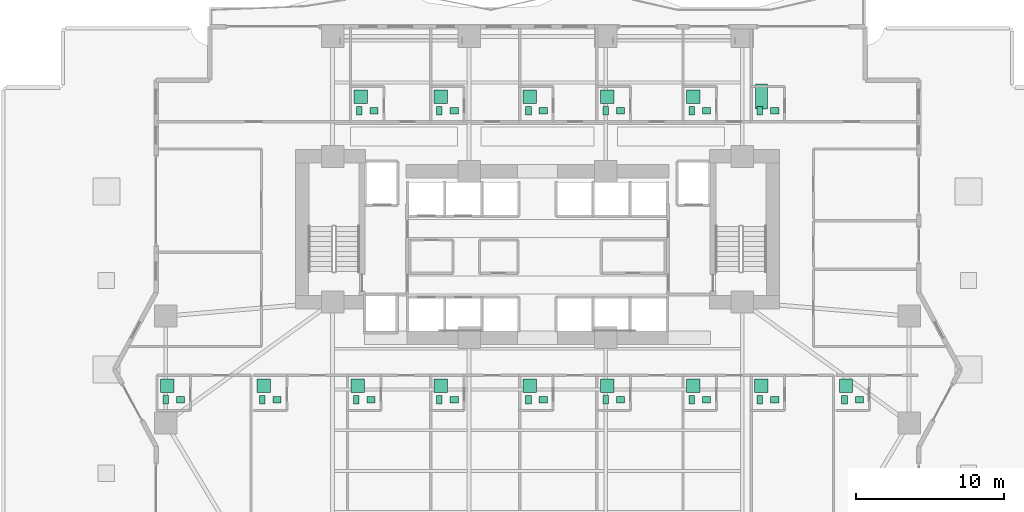
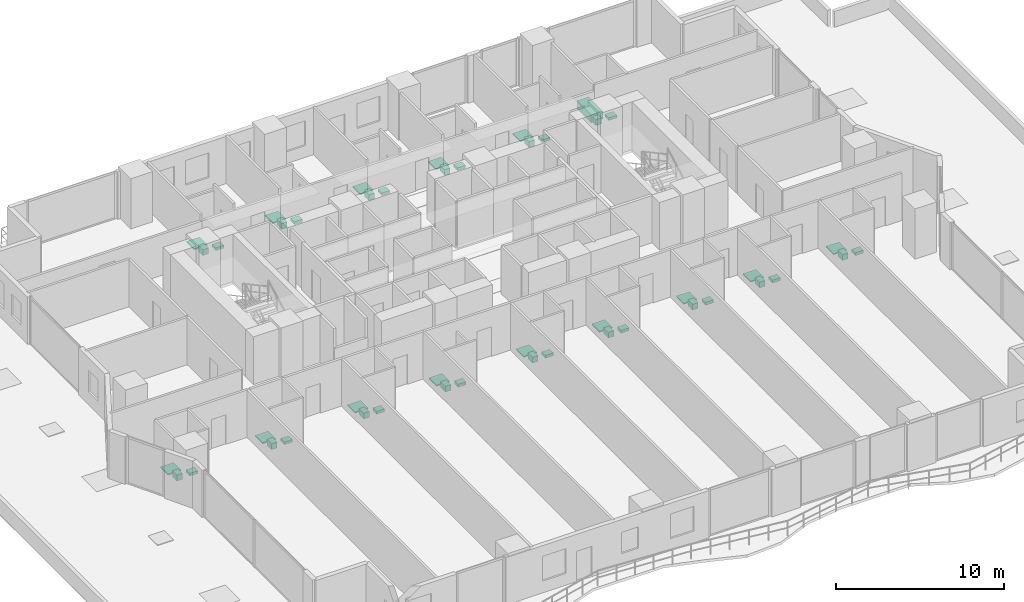
# One storey, part 30 of 30: 45 sanitary terminals.
"""IFC4 building model written with IfcOpenShell, lengths in metres."""

from ifc_helpers import new_model, si_unit, direction, frame, origin, origin_2d, place, context, subcontext, project, spatial, rectangle, extrude, material, type_object, element, save


model = new_model("IFC4")

# Units and contexts
model_context = context("Model", 3, precision=1e-05, world=origin(), true_north=direction((0.0, 1.0)))
body_context = subcontext(model_context, "Body", "Model", "MODEL_VIEW")
ifc_project = project(units=[si_unit("LENGTHUNIT", "METRE"), si_unit("AREAUNIT", "SQUARE_METRE"), si_unit("VOLUMEUNIT", "CUBIC_METRE"), si_unit("PLANEANGLEUNIT", "RADIAN"), si_unit("MASSUNIT", "GRAM", prefix="KILO")], contexts=[model_context])

# Site, building, storey
site_placement = place(None, origin())
site = spatial("IfcSite", under=ifc_project, at=site_placement, CompositionType="ELEMENT")
building_placement = place(site_placement, origin())
building = spatial("IfcBuilding", under=site, at=building_placement, Name="Zuhayl Quay Hotel", CompositionType="ELEMENT")
storey_placement = place(building_placement, frame((0.0, 0.0, 27.60009765625)))
storey = spatial("IfcBuildingStorey", under=building, at=storey_placement, Name="L05", CompositionType="ELEMENT", Elevation=27.60009765625)

# Sanitary terminals
ifc_material = material(Name="Vitreous Porcelain Sanitaryware")
sanitary_terminal_type_1 = type_object("IfcSanitaryTerminalType", Name="SAN_BASIN", PredefinedType="WASHHANDBASIN", material=ifc_material)
for number, where, z_axis, x_axis, name in (
    (1, (-11.010009765625, 17.43994140625, 0.0), (0.0, 0.0, 1.0), (1.0, 0.0, 0.0), "L05 Sanitary Fixture WASHHANDBASIN"),
    (2, (-5.610107421875, 17.43994140625, 0.0), (0.0, 0.0, 1.0), (1.0, 0.0, 0.0), "L05 Sanitary Fixture WASHHANDBASIN"),
    (3, (0.389892578125, 17.43994140625, 0.0), (0.0, 0.0, 1.0), (1.0, 0.0, 0.0), "L05 Sanitary Fixture WASHHANDBASIN"),
    (4, (5.590087890625, 17.43994140625, 0.0), (0.0, 0.0, 1.0), (1.0, 0.0, 0.0), "L05 Sanitary Fixture WASHHANDBASIN"),
    (5, (11.389892578125, 17.43994140625, 0.0), (0.0, 0.0, 1.0), (1.0, 0.0, 0.0), "L05 Sanitary Fixture WASHHANDBASIN"),
    (6, (15.989990234375, 17.43994140625, 0.0), (0.0, 0.0, 1.0), (1.0, 0.0, 0.0), "L05 Sanitary Fixture WASHHANDBASIN"),
    (7, (-24.050048828125, -2.0400390625, 0.0), (0.0, 0.0, 1.0), (1.0, 0.0, 0.0), "L05 Sanitary Fixture WASHHANDBASIN"),
    (8, (-17.550048828125, -2.0400390625, 0.0), (0.0, 0.0, 1.0), (1.0, 0.0, 0.0), "L05 Sanitary Fixture WASHHANDBASIN"),
    (9, (-11.2099609375, -2.0400390625, 0.0), (0.0, 0.0, 1.0), (1.0, 0.0, 0.0), "L05 Sanitary Fixture WASHHANDBASIN"),
    (10, (-5.610107421875, -2.0400390625, 0.0), (0.0, 0.0, 1.0), (1.0, 0.0, 0.0), "L05 Sanitary Fixture WASHHANDBASIN"),
    (11, (0.389892578125, -2.0400390625, 0.0), (0.0, 0.0, 1.0), (1.0, 0.0, 0.0), "L05 Sanitary Fixture WASHHANDBASIN"),
    (12, (5.590087890625, -2.0400390625, 0.0), (0.0, 0.0, 1.0), (1.0, 0.0, 0.0), "L05 Sanitary Fixture WASHHANDBASIN"),
    (13, (11.389892578125, -2.0400390625, 0.0), (0.0, 0.0, 1.0), (1.0, 0.0, 0.0), "L05 Sanitary Fixture WASHHANDBASIN"),
    (14, (15.989990234375, -2.0400390625, 0.0), (0.0, 0.0, 1.0), (1.0, 0.0, 0.0), "L05 Sanitary Fixture WASHHANDBASIN"),
    (15, (21.68994140625, -2.0400390625, 0.0), (0.0, 0.0, 1.0), (1.0, 0.0, 0.0), "L05 Sanitary Fixture WASHHANDBASIN"),
):
    element("IfcSanitaryTerminal", number, at=place(storey_placement, frame(where, z_axis=z_axis, x_axis=x_axis)), inside=storey, type_object=sanitary_terminal_type_1, Name=name, PredefinedType="WASHHANDBASIN", context=body_context, shape_type="SweptSolid", body=[
        extrude(rectangle(XDim=0.550048828125, YDim=0.449951171875, at=origin_2d()), origin(), (0.0, 0.0, 1.0), 0.199951171875),
    ])
sanitary_terminal_type_2 = type_object("IfcSanitaryTerminalType", Name="SAN_BATH", PredefinedType="BATH", material=ifc_material)
sanitary_terminal_placement = place(storey_placement, frame((15.090087890625, 18.389892578125, -0.000244140625), z_axis=(0.0, 0.0, 1.0), x_axis=(1.0, 0.0, 0.0)))
element("IfcSanitaryTerminal", 16, at=sanitary_terminal_placement, inside=storey, type_object=sanitary_terminal_type_2, Name="L05 Sanitary Fixture BATH", PredefinedType="BATH", context=body_context, shape_type="SweptSolid", body=[
    extrude(rectangle(XDim=0.800048828125, YDim=1.699951171875, at=origin_2d()), origin(), (0.0, 0.0, 1.0), 0.580078125),
])
sanitary_terminal_type_3 = type_object("IfcSanitaryTerminalType", Name="SAN_SHOWER", PredefinedType="SHOWER", material=ifc_material)
for number, where, z_axis, x_axis, name in (
    (17, (-11.909912109375, 18.389892578125, -0.000244140625), (0.0, 0.0, 1.0), (1.0, 0.0, 0.0), "L05 Sanitary Fixture SHOWER"),
    (18, (-6.510009765625, 18.389892578125, -0.000244140625), (0.0, 0.0, 1.0), (1.0, 0.0, 0.0), "L05 Sanitary Fixture SHOWER"),
    (19, (-0.510009765625, 18.389892578125, -0.000244140625), (0.0, 0.0, 1.0), (1.0, 0.0, 0.0), "L05 Sanitary Fixture SHOWER"),
    (20, (4.68994140625, 18.389892578125, -0.000244140625), (0.0, 0.0, 1.0), (1.0, 0.0, 0.0), "L05 Sanitary Fixture SHOWER"),
    (21, (10.489990234375, 18.389892578125, -0.000244140625), (0.0, 0.0, 1.0), (1.0, 0.0, 0.0), "L05 Sanitary Fixture SHOWER"),
    (22, (-24.949951171875, -1.090087890625, -0.000244140625), (0.0, 0.0, 1.0), (1.0, 0.0, 0.0), "L05 Sanitary Fixture SHOWER"),
    (23, (-18.449951171875, -1.090087890625, -0.000244140625), (0.0, 0.0, 1.0), (1.0, 0.0, 0.0), "L05 Sanitary Fixture SHOWER"),
    (24, (-12.110107421875, -1.090087890625, -0.000244140625), (0.0, 0.0, 1.0), (1.0, 0.0, 0.0), "L05 Sanitary Fixture SHOWER"),
    (25, (-6.510009765625, -1.090087890625, -0.000244140625), (0.0, 0.0, 1.0), (1.0, 0.0, 0.0), "L05 Sanitary Fixture SHOWER"),
    (26, (-0.510009765625, -1.090087890625, -0.000244140625), (0.0, 0.0, 1.0), (1.0, 0.0, 0.0), "L05 Sanitary Fixture SHOWER"),
    (27, (4.68994140625, -1.090087890625, -0.000244140625), (0.0, 0.0, 1.0), (1.0, 0.0, 0.0), "L05 Sanitary Fixture SHOWER"),
    (28, (10.489990234375, -1.090087890625, -0.000244140625), (0.0, 0.0, 1.0), (1.0, 0.0, 0.0), "L05 Sanitary Fixture SHOWER"),
    (29, (15.090087890625, -1.090087890625, -0.000244140625), (0.0, 0.0, 1.0), (1.0, 0.0, 0.0), "L05 Sanitary Fixture SHOWER"),
    (30, (20.7900390625, -1.090087890625, -0.000244140625), (0.0, 0.0, 1.0), (1.0, 0.0, 0.0), "L05 Sanitary Fixture SHOWER"),
):
    element("IfcSanitaryTerminal", number, at=place(storey_placement, frame(where, z_axis=z_axis, x_axis=x_axis)), inside=storey, type_object=sanitary_terminal_type_3, Name=name, PredefinedType="SHOWER", context=body_context, shape_type="SweptSolid", body=[
        extrude(rectangle(XDim=0.89990234375, YDim=0.89990234375, at=origin_2d()), origin(), (0.0, 0.0, 1.0), 0.080078125),
    ])
sanitary_terminal_type_4 = type_object("IfcSanitaryTerminalType", Name="SAN_WC", PredefinedType="TOILETPAN", material=ifc_material)
for number, where, z_axis, x_axis, name in (
    (31, (-12.010009765625, 17.43994140625, 0.0), (0.0, 0.0, 1.0), (1.0, 0.0, 0.0), "L05 Sanitary Fixture TOILETPAN"),
    (32, (-6.610107421875, 17.43994140625, 0.0), (0.0, 0.0, 1.0), (1.0, 0.0, 0.0), "L05 Sanitary Fixture TOILETPAN"),
    (33, (-0.610107421875, 17.43994140625, 0.0), (0.0, 0.0, 1.0), (1.0, 0.0, 0.0), "L05 Sanitary Fixture TOILETPAN"),
    (34, (4.590087890625, 17.43994140625, 0.0), (0.0, 0.0, 1.0), (1.0, 0.0, 0.0), "L05 Sanitary Fixture TOILETPAN"),
    (35, (10.389892578125, 17.43994140625, 0.0), (0.0, 0.0, 1.0), (1.0, 0.0, 0.0), "L05 Sanitary Fixture TOILETPAN"),
    (36, (14.989990234375, 17.43994140625, 0.0), (0.0, 0.0, 1.0), (1.0, 0.0, 0.0), "L05 Sanitary Fixture TOILETPAN"),
    (37, (-25.050048828125, -2.0400390625, 0.0), (0.0, 0.0, 1.0), (1.0, 0.0, 0.0), "L05 Sanitary Fixture TOILETPAN"),
    (38, (-18.550048828125, -2.0400390625, 0.0), (0.0, 0.0, 1.0), (1.0, 0.0, 0.0), "L05 Sanitary Fixture TOILETPAN"),
    (39, (-12.2099609375, -2.0400390625, 0.0), (0.0, 0.0, 1.0), (1.0, 0.0, 0.0), "L05 Sanitary Fixture TOILETPAN"),
    (40, (-6.610107421875, -2.0400390625, 0.0), (0.0, 0.0, 1.0), (1.0, 0.0, 0.0), "L05 Sanitary Fixture TOILETPAN"),
    (41, (-0.610107421875, -2.0400390625, 0.0), (0.0, 0.0, 1.0), (1.0, 0.0, 0.0), "L05 Sanitary Fixture TOILETPAN"),
    (42, (4.590087890625, -2.0400390625, 0.0), (0.0, 0.0, 1.0), (1.0, 0.0, 0.0), "L05 Sanitary Fixture TOILETPAN"),
    (43, (10.389892578125, -2.0400390625, 0.0), (0.0, 0.0, 1.0), (1.0, 0.0, 0.0), "L05 Sanitary Fixture TOILETPAN"),
    (44, (14.989990234375, -2.0400390625, 0.0), (0.0, 0.0, 1.0), (1.0, 0.0, 0.0), "L05 Sanitary Fixture TOILETPAN"),
    (45, (20.68994140625, -2.0400390625, 0.0), (0.0, 0.0, 1.0), (1.0, 0.0, 0.0), "L05 Sanitary Fixture TOILETPAN"),
):
    element("IfcSanitaryTerminal", number, at=place(storey_placement, frame(where, z_axis=z_axis, x_axis=x_axis)), inside=storey, type_object=sanitary_terminal_type_4, Name=name, PredefinedType="TOILETPAN", context=body_context, shape_type="SweptSolid", body=[
        extrude(rectangle(XDim=0.3798828125, YDim=0.56005859375, at=origin_2d()), origin(), (0.0, 0.0, 1.0), 0.419921875),
    ])

save(model, "model.ifc")
